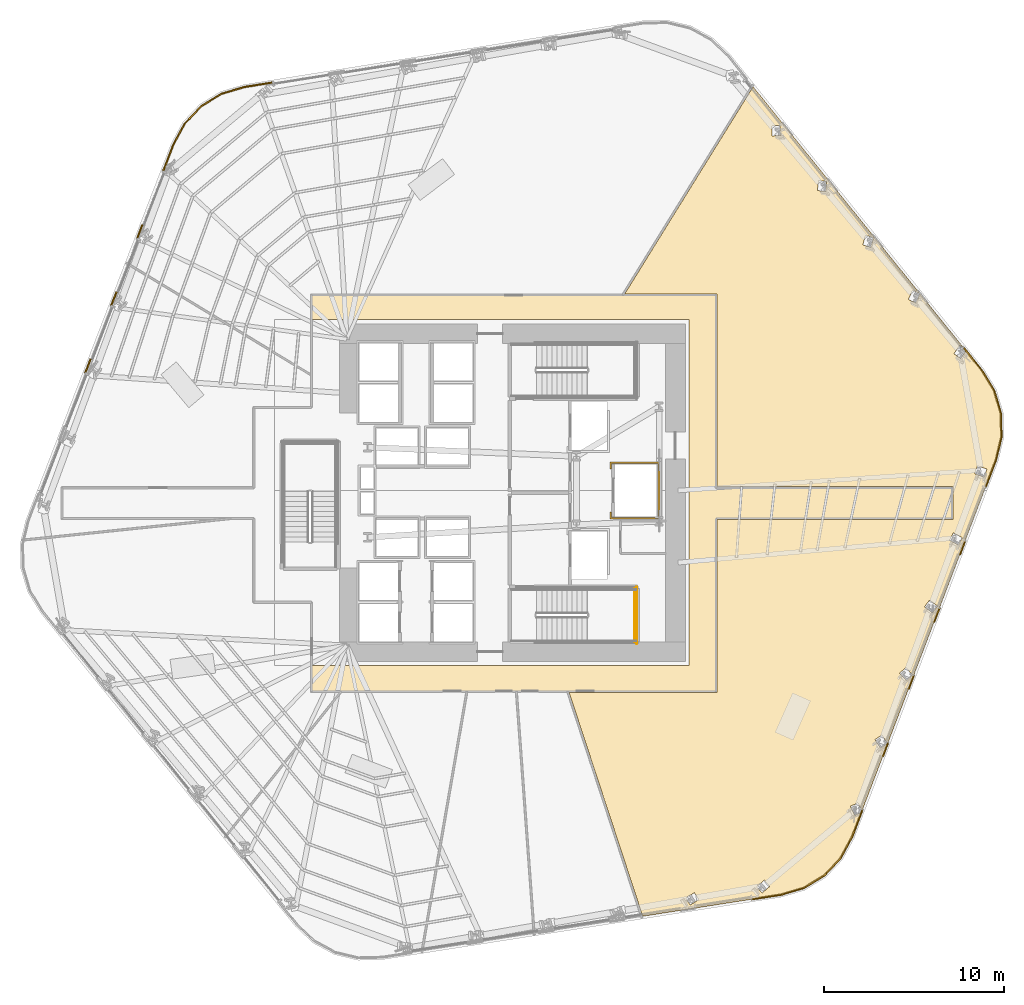
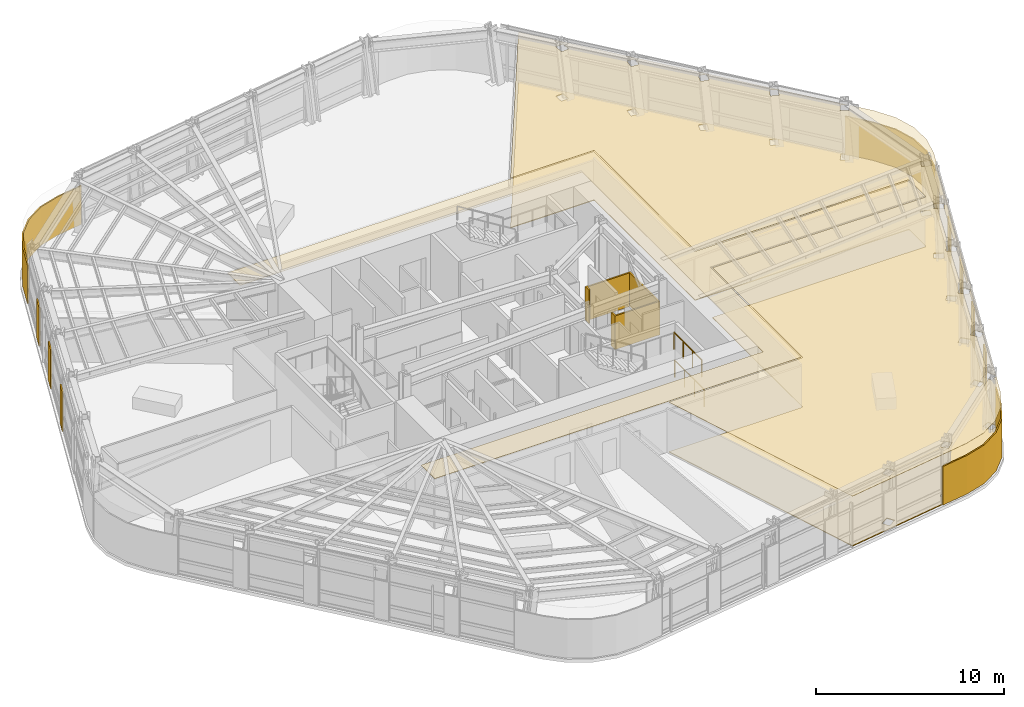
# One storey, part 13 of 16: 14 coverings, 2 railings.
"""IFC4 building model written with IfcOpenShell, lengths in metres."""

from ifc_helpers import new_model, si_unit, direction, frame, origin, origin_2d, place, context, subcontext, project, spatial, polyline, circle, outline, extrude, material, layer, layer_set, type_object, element, save


model = new_model("IFC4")

# Units and contexts
model_context = context("Model", 3, precision=1e-05, world=origin(), true_north=direction((0.0, 1.0)))
body_context = subcontext(model_context, "Body", "Model", "MODEL_VIEW")
ifc_project = project(units=[si_unit("LENGTHUNIT", "METRE"), si_unit("AREAUNIT", "SQUARE_METRE"), si_unit("VOLUMEUNIT", "CUBIC_METRE"), si_unit("PLANEANGLEUNIT", "RADIAN"), si_unit("MASSUNIT", "GRAM", prefix="KILO")], contexts=[model_context])

# Site, building, storey
site_placement = place(None, origin())
site = spatial("IfcSite", under=ifc_project, at=site_placement, CompositionType="ELEMENT")
building_placement = place(site_placement, origin())
building = spatial("IfcBuilding", under=site, at=building_placement, Name="Valkerne Bourse Tower", CompositionType="ELEMENT")
storey_placement = place(building_placement, frame((0.0, 0.0, 62.0)))
storey = spatial("IfcBuildingStorey", under=building, at=storey_placement, Name="L15", CompositionType="ELEMENT", Elevation=62.0)

# Coverings
ifc_material_1 = material(Name="Mineral Fiber Acoustic Ceiling Tile", Category="acoustic")
ifc_layer_1 = layer(ifc_material_1, 0.02490234375)
ifc_layer_set_1 = layer_set([ifc_layer_1], Name="Mineral Fiber Acoustic Ceiling Tile")
covering_type_1 = type_object("IfcCoveringType", Name="COV-CEIL-ACT", PredefinedType="CEILING", material=ifc_layer_set_1)
covering_1_placement = place(storey_placement, frame((0.0, 0.0, 3.22998046875)))
element("IfcCovering", 1, at=covering_1_placement, inside=storey, type_object=covering_type_1, Name="L15 Suspended Ceiling 09", PredefinedType="CEILING", context=body_context, shape_type="SweptSolid", body=[
    extrude(outline(polyline([(62.979248046875, 4.94140625), (61.705078125, 4.56396484375), (54.033447265625, 3.363037109375), (49.95068359375, 15.781005859375), (58.100341796875, 15.781005859375), (58.12890625, 15.787353515625), (58.15185546875, 15.80419921875), (58.1689453125, 15.849365234375), (58.1689453125, 25.381103515625), (71.20068359375, 25.381103515625), (71.24072265625, 25.39404296875), (71.265380859375, 25.42724609375), (71.268798828125, 27.153564453125), (71.2509765625, 27.197021484375), (71.2099609375, 27.218505859375), (58.1689453125, 27.218994140625), (58.1689453125, 37.8505859375), (58.162109375, 37.880126953125), (58.135986328125, 37.908935546875), (58.1005859375, 37.9189453125), (53.035888671875, 37.9189453125), (60.1591796875, 49.4140625), (71.884033203125, 34.88134765625), (71.62890625, 35.05322265625), (71.31591796875, 34.594482421875), (71.31689453125, 34.591064453125), (71.6953125, 34.336181640625), (71.983154296875, 34.758544921875), (72.843017578125, 33.692626953125), (73.53759765625, 32.559326171875), (73.912353515625, 31.294189453125), (73.947021484375, 29.97509765625), (73.63671875, 28.6826171875), (66.201904296875, 9.209716796875), (65.979248046875, 9.66650390625), (65.569091796875, 9.468505859375), (65.566650390625, 9.4658203125), (65.810302734375, 8.9658203125), (66.17626953125, 9.142578125), (65.64697265625, 7.755859375), (65.0126953125, 6.587890625), (64.1044921875, 5.630859375), (62.979248046875, 4.94140625)]), holes=[polyline([(57.142578125, 4.2900390625), (56.897216796875, 4.676513671875), (56.89404296875, 4.6748046875), (56.427001953125, 4.377197265625), (56.67236328125, 3.9912109375), (56.675537109375, 3.992431640625), (57.142578125, 4.2900390625)]), polyline([(60.665771484375, 4.658203125), (61.0830078125, 5.021728515625), (60.783203125, 5.3671875), (60.77978515625, 5.365234375), (60.362548828125, 5.001708984375), (60.66259765625, 4.65625), (60.665771484375, 4.658203125)]), polyline([(67.623291015625, 12.966552734375), (67.307861328125, 13.4248046875), (66.931884765625, 13.167724609375), (66.9296875, 13.164794921875), (67.2451171875, 12.706787109375), (67.621337890625, 12.963623046875), (67.623291015625, 12.966552734375)]), polyline([(69.01513671875, 16.77001953125), (69.0166015625, 16.773193359375), (68.631591796875, 17.174560546875), (68.3017578125, 16.8603515625), (68.30029296875, 16.857177734375), (68.685302734375, 16.455810546875), (69.01513671875, 16.77001953125)]), polyline([(70.3994140625, 20.578857421875), (70.400390625, 20.582275390625), (69.954345703125, 20.91455078125), (69.680908203125, 20.55029296875), (69.679931640625, 20.546875), (70.1259765625, 20.21435546875), (70.3994140625, 20.578857421875)]), polyline([(71.774658203125, 24.389404296875), (71.281005859375, 24.6455078125), (71.069580078125, 24.2421875), (71.0693359375, 24.238525390625), (71.56298828125, 23.982177734375), (71.7744140625, 24.3857421875), (71.774658203125, 24.389404296875)]), polyline([(73.1416015625, 28.186767578125), (73.141357421875, 28.1904296875), (72.614990234375, 28.370361328125), (72.466064453125, 27.940185546875), (72.46630859375, 27.936279296875), (72.992431640625, 27.756591796875), (73.1416015625, 28.186767578125)]), polyline([(69.431396484375, 37.920166015625), (69.019287109375, 38.11572265625), (68.778564453125, 37.615478515625), (68.780029296875, 37.612060546875), (69.192138671875, 37.41650390625), (69.43310546875, 37.9169921875), (69.431396484375, 37.920166015625)]), polyline([(66.848388671875, 41.038818359375), (66.84619140625, 41.041748046875), (66.408203125, 41.1689453125), (66.250732421875, 40.635986328125), (66.252685546875, 40.63330078125), (66.69091796875, 40.506103515625), (66.848388671875, 41.038818359375)]), polyline([(64.2548828125, 44.15673828125), (64.252197265625, 44.1591796875), (63.79931640625, 44.21240234375), (63.73193359375, 43.660888671875), (63.734619140625, 43.658203125), (64.1875, 43.60546875), (64.2548828125, 44.15673828125)]), polyline([(61.6552734375, 47.26708984375), (61.65234375, 47.269287109375), (61.196533203125, 47.248291015625), (61.218994140625, 46.693359375), (61.221923828125, 46.691162109375), (61.677734375, 46.7119140625), (61.6552734375, 47.26708984375)])]), origin(), (0.0, 0.0, 1.0), 0.02490234375),
])
ifc_material_2 = material(Name="Bronze Anodised Aluminium AA 6063-T6", Category="aluminium")
ifc_layer_2 = layer(ifc_material_2, 0.030029296875)
ifc_layer_set_2 = layer_set([ifc_layer_2], Name="Bronze Anodised Aluminium AA 6063-T6")
covering_type_2 = type_object("IfcCoveringType", Name="COV-CEIL-METAL", PredefinedType="CEILING", material=ifc_layer_set_2)
covering_2_placement = place(storey_placement, frame((0.0, 0.0, 3.22998046875)))
element("IfcCovering", 2, at=covering_2_placement, inside=storey, type_object=covering_type_2, Name="L15 Suspended Ceiling 01", PredefinedType="CEILING", context=body_context, shape_type="SweptSolid", body=[
    extrude(outline(polyline([(71.196044921875, 27.14599609375), (71.196044921875, 25.4541015625), (58.095947265625, 25.4541015625), (58.095947265625, 15.85400390625), (35.654052734375, 15.85400390625), (35.654052734375, 17.300048828125), (56.60009765625, 17.300048828125), (56.60009765625, 36.5), (35.654052734375, 36.5), (35.654052734375, 37.845947265625), (58.095947265625, 37.845947265625), (58.095947265625, 27.14599609375), (71.196044921875, 27.14599609375)])), origin(), (0.0, 0.0, 1.0), 0.02490234375),
])
ifc_layer_3 = layer(ifc_material_2, 0.06005859375)
ifc_layer_set_3 = layer_set([ifc_layer_3], Name="Bronze Anodised Aluminium AA 6063-T6")
covering_type_3 = type_object("IfcCoveringType", Name="COV-CRN-ALUM", PredefinedType="CLADDING", material=ifc_layer_set_3)
covering_3_placement = place(storey_placement, origin())
element("IfcCovering", 3, at=covering_3_placement, inside=storey, type_object=covering_type_3, Name="L15 Wind-Shaped Corner Aluminium Cladding 01", PredefinedType="CLADDING", context=body_context, shape_type="SweptSolid", body=[
    extrude(outline(polyline([(65.048583984375, 6.56201171875), (64.13232421875, 5.59619140625), (62.997314453125, 4.90087890625), (61.71484375, 4.52099609375), (60.090087890625, 4.2666015625), (60.077392578125, 4.345703125), (61.697021484375, 4.59912109375), (62.964599609375, 4.974609375), (64.08154296875, 5.658935546875), (64.9833984375, 6.609375), (65.614013671875, 7.77099609375), (66.198974609375, 9.302734375), (66.273681640625, 9.27392578125), (65.68701171875, 7.737548828125), (65.048583984375, 6.56201171875)])), origin(), (0.0, 0.0, 1.0), 2.5),
])
covering_4_placement = place(storey_placement, origin())
element("IfcCovering", 4, at=covering_4_placement, inside=storey, type_object=covering_type_3, Name="L15 Wind-Shaped Corner Aluminium Cladding 13", PredefinedType="CLADDING", context=body_context, shape_type="SweptSolid", body=[
    extrude(outline(polyline([(23.3447265625, 34.313232421875), (23.41943359375, 34.28466796875), (23.116943359375, 33.5009765625), (23.04248046875, 33.52978515625), (23.3447265625, 34.313232421875)])), origin(), (0.0, 0.0, 1.0), 2.5),
])
covering_5_placement = place(storey_placement, origin())
element("IfcCovering", 5, at=covering_5_placement, inside=storey, type_object=covering_type_3, Name="L15 Wind-Shaped Corner Aluminium Cladding 14", PredefinedType="CLADDING", context=body_context, shape_type="SweptSolid", body=[
    extrude(outline(polyline([(24.78369140625, 38.04150390625), (24.8583984375, 38.0126953125), (24.555908203125, 37.22900390625), (24.481201171875, 37.2578125), (24.78369140625, 38.04150390625)])), origin(), (0.0, 0.0, 1.0), 2.5),
])
covering_6_placement = place(storey_placement, origin())
element("IfcCovering", 6, at=covering_6_placement, inside=storey, type_object=covering_type_3, Name="L15 Wind-Shaped Corner Aluminium Cladding 15", PredefinedType="CLADDING", context=body_context, shape_type="SweptSolid", body=[
    extrude(outline(polyline([(26.222412109375, 41.769287109375), (26.297119140625, 41.74072265625), (25.99462890625, 40.95703125), (25.919921875, 40.985595703125), (26.222412109375, 41.769287109375)])), origin(), (0.0, 0.0, 1.0), 2.5),
])
covering_7_placement = place(storey_placement, origin())
element("IfcCovering", 7, at=covering_7_placement, inside=storey, type_object=covering_type_3, Name="L15 Wind-Shaped Corner Aluminium Cladding 16", PredefinedType="CLADDING", context=body_context, shape_type="SweptSolid", body=[
    extrude(outline(polyline([(27.9423828125, 46.22607421875), (28.580810546875, 47.40185546875), (29.4970703125, 48.367431640625), (30.632080078125, 49.06298828125), (31.914794921875, 49.44287109375), (33.515380859375, 49.699462890625), (33.52783203125, 49.620361328125), (31.9326171875, 49.36474609375), (30.664794921875, 48.9892578125), (29.5478515625, 48.3046875), (28.64599609375, 47.3544921875), (28.01513671875, 46.1923828125), (27.433349609375, 44.68505859375), (27.358642578125, 44.713623046875), (27.9423828125, 46.22607421875)])), origin(), (0.0, 0.0, 1.0), 2.5),
])
covering_8_placement = place(storey_placement, origin())
element("IfcCovering", 8, at=covering_8_placement, inside=storey, type_object=covering_type_3, Name="L15 Wind-Shaped Corner Aluminium Cladding 26", PredefinedType="CLADDING", context=body_context, shape_type="SweptSolid", body=[
    extrude(outline(polyline([(72.879150390625, 33.718017578125), (73.578125, 32.577392578125), (73.956298828125, 31.301025390625), (73.990966796875, 29.970458984375), (73.6787109375, 28.66943359375), (73.1005859375, 27.155029296875), (73.02587890625, 27.183837890625), (73.60205078125, 28.693115234375), (73.91064453125, 29.97900390625), (73.87646484375, 31.28857421875), (73.50439453125, 32.544677734375), (72.813720703125, 33.671875), (71.798828125, 34.9296875), (71.861083984375, 34.97998046875), (72.879150390625, 33.718017578125)])), origin(), (0.0, 0.0, 1.0), 2.5),
])
covering_9_placement = place(storey_placement, origin())
element("IfcCovering", 9, at=covering_9_placement, inside=storey, type_object=covering_type_3, Name="L15 Wind-Shaped Corner Aluminium Cladding 27", PredefinedType="CLADDING", context=body_context, shape_type="SweptSolid", body=[
    extrude(outline(polyline([(71.675048828125, 23.421875), (71.6005859375, 23.450439453125), (71.900146484375, 24.2353515625), (71.974853515625, 24.206787109375), (71.675048828125, 23.421875)])), origin(), (0.0, 0.0, 1.0), 2.5),
])
covering_10_placement = place(storey_placement, origin())
element("IfcCovering", 10, at=covering_10_placement, inside=storey, type_object=covering_type_3, Name="L15 Wind-Shaped Corner Aluminium Cladding 28", PredefinedType="CLADDING", context=body_context, shape_type="SweptSolid", body=[
    extrude(outline(polyline([(70.25, 19.688720703125), (70.17529296875, 19.71728515625), (70.474853515625, 20.502197265625), (70.549560546875, 20.473388671875), (70.25, 19.688720703125)])), origin(), (0.0, 0.0, 1.0), 2.5),
])
covering_11_placement = place(storey_placement, origin())
element("IfcCovering", 11, at=covering_11_placement, inside=storey, type_object=covering_type_3, Name="L15 Wind-Shaped Corner Aluminium Cladding 29", PredefinedType="CLADDING", context=body_context, shape_type="SweptSolid", body=[
    extrude(outline(polyline([(68.824462890625, 15.95556640625), (68.749755859375, 15.984130859375), (69.049560546875, 16.76904296875), (69.124267578125, 16.740234375), (68.824462890625, 15.95556640625)])), origin(), (0.0, 0.0, 1.0), 2.5),
])
covering_12_placement = place(storey_placement, origin())
element("IfcCovering", 12, at=covering_12_placement, inside=storey, type_object=covering_type_3, Name="L15 Wind-Shaped Corner Aluminium Cladding 30", PredefinedType="CLADDING", context=body_context, shape_type="SweptSolid", body=[
    extrude(outline(polyline([(67.399169921875, 12.222412109375), (67.32470703125, 12.2509765625), (67.624267578125, 13.035888671875), (67.69873046875, 13.007080078125), (67.399169921875, 12.222412109375)])), origin(), (0.0, 0.0, 1.0), 2.5),
])
ifc_material_3 = material(Name="Galvanised Painted Steel", Category="steel")
ifc_layer_4 = layer(ifc_material_3, 0.044921875)
ifc_layer_set_4 = layer_set([ifc_layer_4], Name="Galvanised Painted Steel")
covering_type_4 = type_object("IfcCoveringType", Name="COV-FLR-RAF", PredefinedType="FLOORING", material=ifc_layer_set_4)
covering_13_placement = place(storey_placement, origin())
element("IfcCovering", 13, at=covering_13_placement, inside=storey, type_object=covering_type_4, Name="L15 Floor Finish 09", PredefinedType="FLOORING", context=body_context, shape_type="SweptSolid", body=[
    extrude(outline(polyline([(62.979248046875, 4.94140625), (61.705078125, 4.56396484375), (54.033447265625, 3.363037109375), (49.95068359375, 15.781005859375), (58.100341796875, 15.781005859375), (58.12890625, 15.787353515625), (58.15185546875, 15.80419921875), (58.1689453125, 15.849365234375), (58.1689453125, 25.381103515625), (71.20068359375, 25.381103515625), (71.24072265625, 25.39404296875), (71.265380859375, 25.42724609375), (71.268798828125, 27.153564453125), (71.2509765625, 27.197021484375), (71.2099609375, 27.218505859375), (58.1689453125, 27.218994140625), (58.1689453125, 37.8505859375), (58.162109375, 37.880126953125), (58.135986328125, 37.908935546875), (58.1005859375, 37.9189453125), (53.035888671875, 37.9189453125), (60.1591796875, 49.4140625), (71.884033203125, 34.88134765625), (71.62890625, 35.05322265625), (71.31591796875, 34.594482421875), (71.31689453125, 34.591064453125), (71.6953125, 34.336181640625), (71.983154296875, 34.758544921875), (72.843017578125, 33.692626953125), (73.53759765625, 32.559326171875), (73.912353515625, 31.294189453125), (73.947021484375, 29.97509765625), (73.63671875, 28.6826171875), (66.201904296875, 9.209716796875), (65.979248046875, 9.66650390625), (65.569091796875, 9.468505859375), (65.566650390625, 9.4658203125), (65.810302734375, 8.9658203125), (66.17626953125, 9.142578125), (65.64697265625, 7.755859375), (65.0126953125, 6.587890625), (64.1044921875, 5.630859375), (62.979248046875, 4.94140625)]), holes=[polyline([(57.142578125, 4.2900390625), (56.897216796875, 4.676513671875), (56.89404296875, 4.6748046875), (56.427001953125, 4.377197265625), (56.67236328125, 3.9912109375), (56.675537109375, 3.992431640625), (57.142578125, 4.2900390625)]), polyline([(60.665771484375, 4.658203125), (61.0830078125, 5.021728515625), (60.783203125, 5.3671875), (60.77978515625, 5.365234375), (60.362548828125, 5.001708984375), (60.66259765625, 4.65625), (60.665771484375, 4.658203125)]), polyline([(67.623291015625, 12.966552734375), (67.307861328125, 13.4248046875), (66.931884765625, 13.167724609375), (66.9296875, 13.164794921875), (67.2451171875, 12.706787109375), (67.621337890625, 12.963623046875), (67.623291015625, 12.966552734375)]), polyline([(69.01513671875, 16.77001953125), (69.0166015625, 16.773193359375), (68.631591796875, 17.174560546875), (68.3017578125, 16.8603515625), (68.30029296875, 16.857177734375), (68.685302734375, 16.455810546875), (69.01513671875, 16.77001953125)]), polyline([(70.3994140625, 20.578857421875), (70.400390625, 20.582275390625), (69.954345703125, 20.91455078125), (69.680908203125, 20.55029296875), (69.679931640625, 20.546875), (70.1259765625, 20.21435546875), (70.3994140625, 20.578857421875)]), polyline([(71.774658203125, 24.389404296875), (71.281005859375, 24.6455078125), (71.069580078125, 24.2421875), (71.0693359375, 24.238525390625), (71.56298828125, 23.982177734375), (71.7744140625, 24.3857421875), (71.774658203125, 24.389404296875)]), polyline([(73.1416015625, 28.186767578125), (73.141357421875, 28.1904296875), (72.614990234375, 28.370361328125), (72.466064453125, 27.940185546875), (72.46630859375, 27.936279296875), (72.992431640625, 27.756591796875), (73.1416015625, 28.186767578125)]), polyline([(69.431396484375, 37.920166015625), (69.019287109375, 38.11572265625), (68.778564453125, 37.615478515625), (68.780029296875, 37.612060546875), (69.192138671875, 37.41650390625), (69.43310546875, 37.9169921875), (69.431396484375, 37.920166015625)]), polyline([(66.848388671875, 41.038818359375), (66.84619140625, 41.041748046875), (66.408203125, 41.1689453125), (66.250732421875, 40.635986328125), (66.252685546875, 40.63330078125), (66.69091796875, 40.506103515625), (66.848388671875, 41.038818359375)]), polyline([(64.2548828125, 44.15673828125), (64.252197265625, 44.1591796875), (63.79931640625, 44.21240234375), (63.73193359375, 43.660888671875), (63.734619140625, 43.658203125), (64.1875, 43.60546875), (64.2548828125, 44.15673828125)]), polyline([(61.6552734375, 47.26708984375), (61.65234375, 47.269287109375), (61.196533203125, 47.248291015625), (61.218994140625, 46.693359375), (61.221923828125, 46.691162109375), (61.677734375, 46.7119140625), (61.6552734375, 47.26708984375)])]), origin(), (0.0, 0.0, 1.0), 0.044921875),
])
ifc_material_4 = material(Name="Gypsum Shaftwall Liner Board", Category="gypsum")
ifc_layer_5 = layer(ifc_material_4, 0.080078125)
ifc_layer_set_5 = layer_set([ifc_layer_5], Name="Gypsum Shaftwall Liner Board")
covering_type_5 = type_object("IfcCoveringType", Name="COV-SHF-CLAD", PredefinedType="CLADDING", material=ifc_layer_set_5)
covering_14_placement = place(storey_placement, origin())
element("IfcCovering", 14, at=covering_14_placement, inside=storey, type_object=covering_type_5, Name="L15 Hoistway & Riser Shaftwall Liner 08", PredefinedType="CLADDING", context=body_context, shape_type="SweptSolid", body=[
    extrude(outline(polyline([(54.97998046875, 25.419921875), (52.219970703125, 25.419921875), (52.219970703125, 25.81787109375), (52.227783203125, 25.814208984375), (52.269287109375, 25.79931640625), (52.31005859375, 25.789306640625), (52.31005859375, 25.510009765625), (54.889892578125, 25.510009765625), (54.889892578125, 28.489990234375), (52.31005859375, 28.489990234375), (52.31005859375, 28.210693359375), (52.269287109375, 28.20068359375), (52.227783203125, 28.185791015625), (52.219970703125, 28.18212890625), (52.219970703125, 28.580078125), (54.97998046875, 28.580078125), (54.97998046875, 25.419921875)])), origin(), (0.0, 0.0, 1.0), 2.179931640625),
])

# Railings
railing_type = type_object("IfcRailingType", Name="RLG-ST-GUARD-1120", PredefinedType="GUARDRAIL", material=ifc_material_3)
railing_1_placement = place(storey_placement, frame((53.60009765625, 18.60009765625, 1.89990234375)))
element("IfcRailing", 15, at=railing_1_placement, inside=storey, type_object=railing_type, Name="L15 ST-1 stair guard 5", PredefinedType="GUARDRAIL", context=body_context, shape_type="SweptSolid", body=[
    extrude(circle(Radius=0.02392578125, at=origin_2d()), frame((0.0, 0.0, 1.09619140625), z_axis=(0.0, 1.0, 0.0), x_axis=(-1.0, 0.0, 0.0)), (0.0, 0.0, 1.0), 2.949951171875),
    extrude(circle(Radius=0.02099609375, at=origin_2d()), origin(), (0.0, 0.0, 1.0), 1.072021484375),
    extrude(circle(Radius=0.02099609375, at=origin_2d()), frame((0.0, 0.9833984375, 0.0)), (0.0, 0.0, 1.0), 1.072021484375),
    extrude(circle(Radius=0.02099609375, at=origin_2d()), frame((0.0, 1.966552734375, 0.0)), (0.0, 0.0, 1.0), 1.072021484375),
    extrude(circle(Radius=0.02099609375, at=origin_2d()), frame((0.0, 2.949951171875, 0.0)), (0.0, 0.0, 1.0), 1.072021484375),
])
railing_2_placement = place(storey_placement, frame((53.699951171875, 18.5, 0.0)))
element("IfcRailing", 16, at=railing_2_placement, inside=storey, type_object=railing_type, Name="L15 ST-1 stair guard 12", PredefinedType="GUARDRAIL", context=body_context, shape_type="SweptSolid", body=[
    extrude(circle(Radius=0.02392578125, at=origin_2d()), frame((0.0, 0.0, 1.09619140625), z_axis=(0.0, 1.0, 0.0), x_axis=(-1.0, 0.0, 0.0)), (0.0, 0.0, 1.0), 3.14990234375),
    extrude(circle(Radius=0.02099609375, at=origin_2d()), origin(), (0.0, 0.0, 1.0), 1.072021484375),
    extrude(circle(Radius=0.02099609375, at=origin_2d()), frame((0.0, 1.050048828125, 0.0)), (0.0, 0.0, 1.0), 1.072021484375),
    extrude(circle(Radius=0.02099609375, at=origin_2d()), frame((0.0, 2.099853515625, 0.0)), (0.0, 0.0, 1.0), 1.072021484375),
    extrude(circle(Radius=0.02099609375, at=origin_2d()), frame((0.0, 3.14990234375, 0.0)), (0.0, 0.0, 1.0), 1.072021484375),
])

save(model, "model.ifc")
